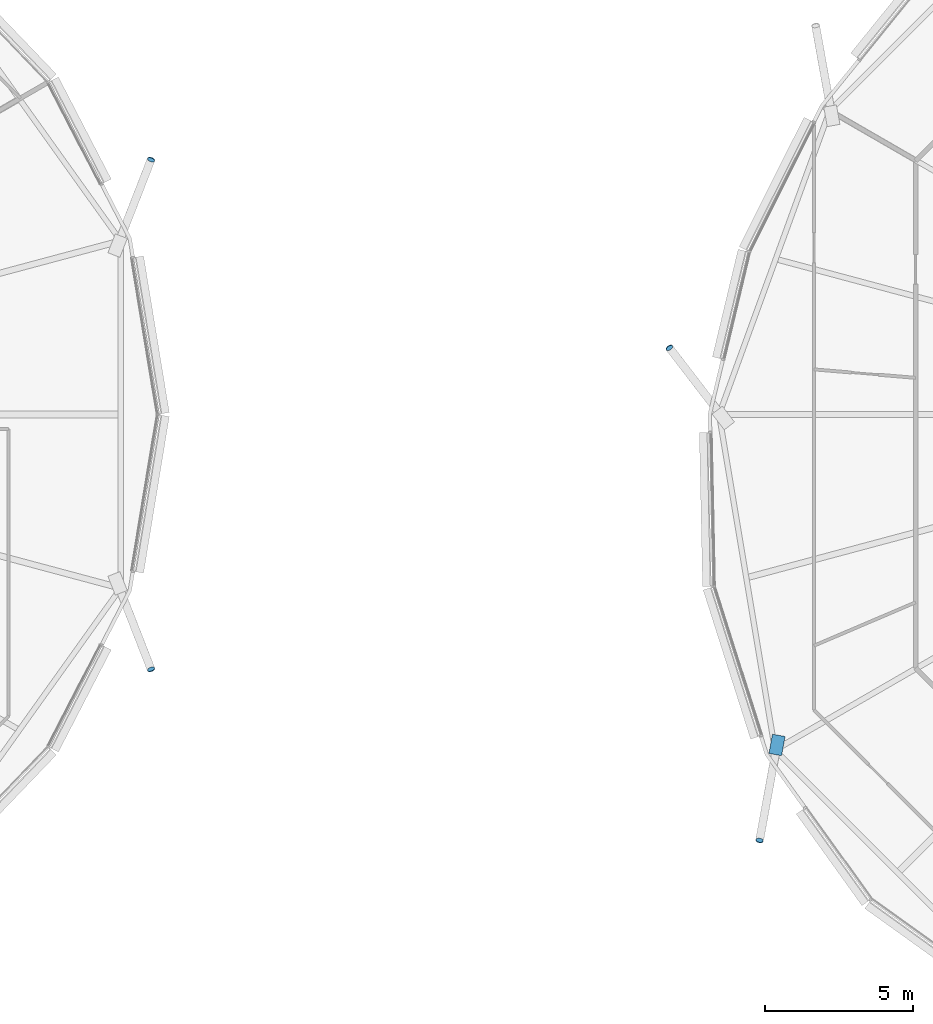
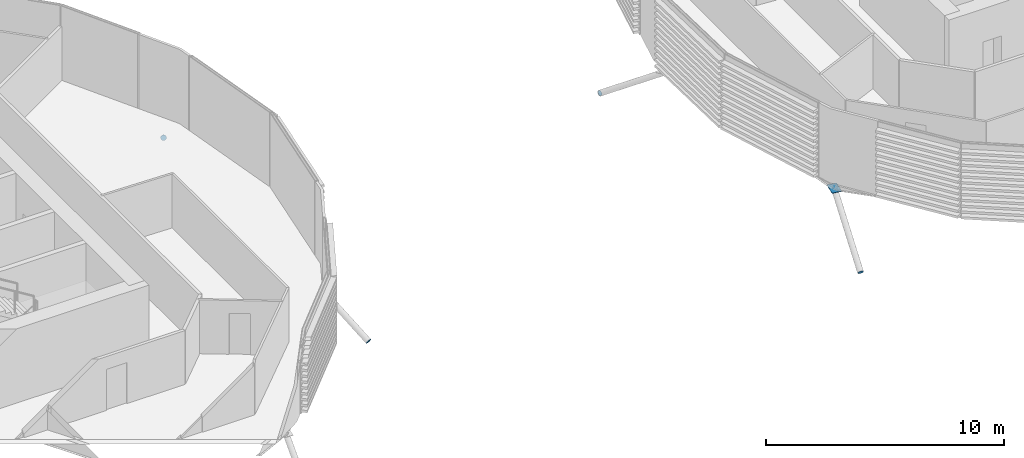
# One storey, part 28 of 38: 5 discrete accessories.
"""IFC4 building model written with IfcOpenShell, lengths in metres."""

from ifc_helpers import new_model, si_unit, direction, frame, origin, origin_2d, place, context, subcontext, project, spatial, polyline, rectangle, circle, outline, extrude, material, material_profile, profile_set, type_object, element, save


model = new_model("IFC4")

# Units and contexts
model_context = context("Model", 3, precision=1e-05, world=origin(), true_north=direction((0.0, 1.0)))
body_context = subcontext(model_context, "Body", "Model", "MODEL_VIEW")
ifc_project = project(units=[si_unit("LENGTHUNIT", "METRE"), si_unit("AREAUNIT", "SQUARE_METRE"), si_unit("VOLUMEUNIT", "CUBIC_METRE"), si_unit("PLANEANGLEUNIT", "RADIAN"), si_unit("MASSUNIT", "GRAM", prefix="KILO")], contexts=[model_context])

# Site, building, storey
site_placement = place(None, origin())
site = spatial("IfcSite", under=ifc_project, at=site_placement, CompositionType="ELEMENT")
building_placement = place(site_placement, origin())
building = spatial("IfcBuilding", under=site, at=building_placement, Name="Rimbun Link Towers", CompositionType="ELEMENT")
storey_placement = place(building_placement, frame((0.0, 0.0, 123.39990234375)))
storey = spatial("IfcBuildingStorey", under=building, at=storey_placement, Name="L30", CompositionType="ELEMENT", Elevation=123.39990234375)

# Discrete accessories
ifc_material_1 = material(Name="Steel S355J2H", Category="steel")
ifc_material_profile_1 = material_profile(ifc_material_1, circle(Radius=0.1240234375, at=origin_2d()), Name="PL D248")
ifc_profile_set_1 = profile_set([ifc_material_profile_1], Name="Steel S355J2H")
discrete_accessory_type_1 = type_object("IfcDiscreteAccessoryType", Name="Link foot sealing plate D248X20", PredefinedType="BRACKET", material=ifc_profile_set_1)
for number, where, z_axis, x_axis, name in (
    (1, (-8.878173828125, 8.58740234375, -2.612548828125), (0.30440307249, 0.803624111373, -0.511397161783), (-0.93515944529, 0.35422706261, 0.0), "Link foot sealing plate T1 L30 01"),
    (2, (-8.878173828125, -8.58740234375, -2.612548828125), (0.30440307249, -0.803624111373, -0.511397161783), (0.93515944529, 0.35422706261, 0.0), "Link foot sealing plate T1 L30 23"),
    (3, (8.60498046875, 2.2431640625, -2.6015625), (-0.512157039114, 0.670681836935, -0.536545469548), (-0.794767813927, -0.606913603362, 0.0), "Link foot sealing plate T2 L30 09"),
    (4, (11.641845703125, -14.356689453125, -2.7626953125), (-0.145596333607, -0.825045890439, -0.545986251026), (0.984783558818, -0.173785333909, 0.0), "Link foot sealing plate T2 L30 11"),
):
    element("IfcDiscreteAccessory", number, at=place(storey_placement, frame(where, z_axis=z_axis, x_axis=x_axis)), inside=storey, type_object=discrete_accessory_type_1, Name=name, PredefinedType="BRACKET", context=body_context, shape_type="SweptSolid", body=[
        extrude(circle(Radius=0.1240234375, at=origin_2d()), origin(), (0.0, 0.0, 1.0), 0.02001953125),
    ])
ifc_material_2 = material(Name="Steel S355J2H", Category="steel")
ifc_material_profile_2 = material_profile(ifc_material_2, rectangle(XDim=0.43310546875, YDim=0.43310546875, at=origin_2d()), Name="PL 433x433")
ifc_profile_set_2 = profile_set([ifc_material_profile_2], Name="Steel S355J2H")
discrete_accessory_type_2 = type_object("IfcDiscreteAccessoryType", Name="Link head end plate 433X20", PredefinedType="BRACKET", material=ifc_profile_set_2)
discrete_accessory_placement = place(storey_placement, frame((0.0, 0.0, -0.63330078125)))
element("IfcDiscreteAccessory", 5, at=discrete_accessory_placement, inside=storey, type_object=discrete_accessory_type_2, Name="Link head end plate T2 L30 11", PredefinedType="BRACKET", context=body_context, shape_type="SweptSolid", body=[
    extrude(outline(polyline([(12.075439453125, -10.779052734375), (11.956787109375, -11.42822265625), (12.3828125, -11.506103515625), (12.50146484375, -10.85693359375), (12.075439453125, -10.779052734375)])), origin(), (0.0, 0.0, 1.0), 0.02001953125),
])

save(model, "model.ifc")
